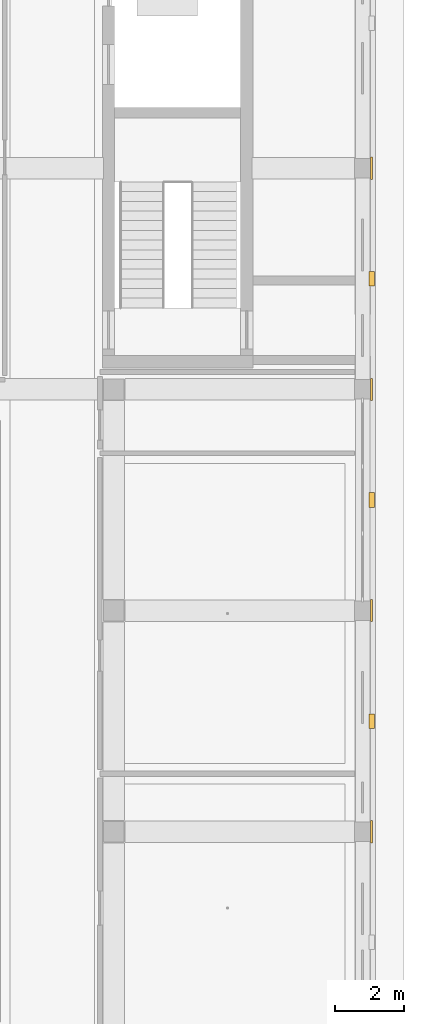
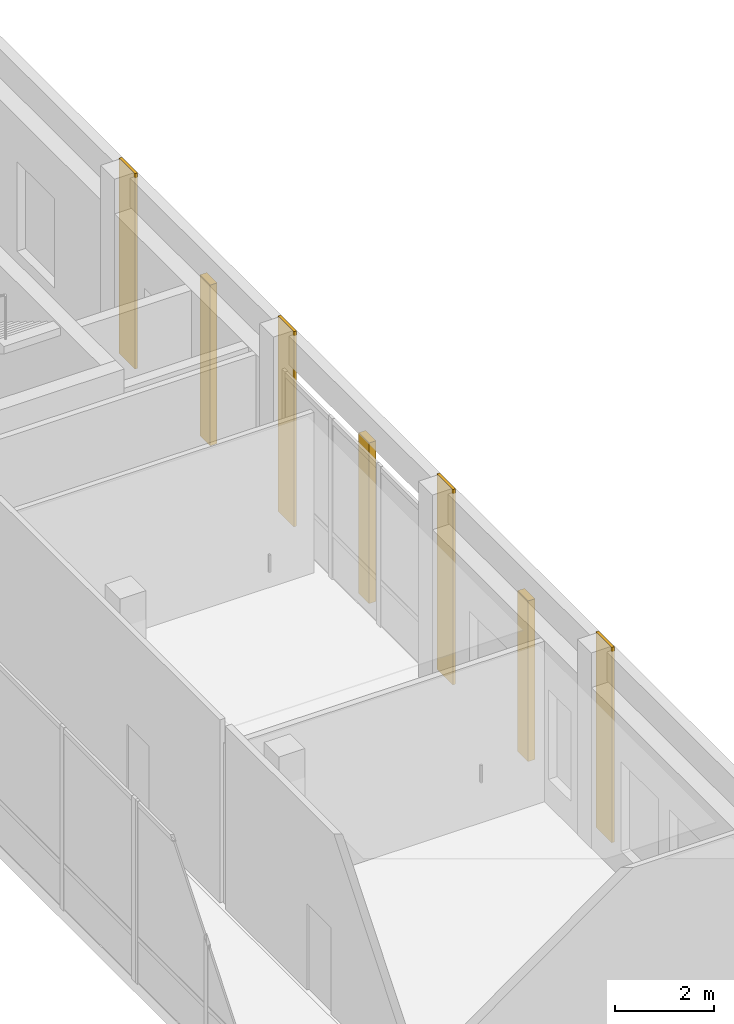
# One storey, part 85 of 88: 7 coverings.
"""IFC4 building model written with IfcOpenShell, lengths in metres."""

from ifc_helpers import new_model, si_unit, derived_unit, direction, frame, origin, origin_2d, place, context, subcontext, project, spatial, rectangle, extrude, material, layer, layer_set, type_object, element, save


model = new_model("IFC4")

# Units and contexts
model_context = context("Model", 3, precision=1e-05, world=origin(), true_north=direction((0.0, 1.0)))
body_context = subcontext(model_context, "Body", "Model", "MODEL_VIEW")
ifc_project = project(units=[si_unit("LENGTHUNIT", "METRE"), si_unit("AREAUNIT", "SQUARE_METRE"), si_unit("VOLUMEUNIT", "CUBIC_METRE"), si_unit("PLANEANGLEUNIT", "RADIAN"), si_unit("MASSUNIT", "GRAM", prefix="KILO"), derived_unit("THERMALTRANSMITTANCEUNIT", [(si_unit("POWERUNIT", "WATT"), 1), (si_unit("LENGTHUNIT", "METRE"), -2), (si_unit("THERMODYNAMICTEMPERATUREUNIT", "KELVIN"), -1)])], contexts=[model_context])

# Site, building, storey
site_placement = place(None, origin())
site = spatial("IfcSite", under=ifc_project, at=site_placement, CompositionType="ELEMENT")
building_placement = place(site_placement, origin())
building = spatial("IfcBuilding", under=site, at=building_placement, Name="Braskholm Square Health Centre", CompositionType="ELEMENT")
storey_placement = place(building_placement, origin())
storey = spatial("IfcBuildingStorey", under=building, at=storey_placement, Name="L01", CompositionType="ELEMENT", Elevation=0.0)

# Coverings
ifc_material_1 = material(Name="Mankato-Kasota dolomitic limestone ashlar", Category="masonry")
ifc_layer_1 = layer(ifc_material_1, 0.090087890625)
ifc_layer_set_1 = layer_set([ifc_layer_1], Name="Mankato-Kasota dolomitic limestone ashlar")
covering_type_1 = type_object("IfcCoveringType", Name="KasotaAshlarBaseCladding", PredefinedType="CLADDING", material=ifc_layer_set_1)
for number, where, z_axis, x_axis, name in (
    (1, (164.070068359375, 39.39990234375, 0.0), (0.0, 0.0, 1.0), (1.0, 0.0, 0.0), "Fluted Kasota limestone base pilaster 0669"),
    (2, (164.070068359375, 45.800048828125, 0.0), (0.0, 0.0, 1.0), (1.0, 0.0, 0.0), "Fluted Kasota limestone base pilaster 0670"),
    (3, (164.070068359375, 52.199951171875, 0.0), (0.0, 0.0, 1.0), (1.0, 0.0, 0.0), "Fluted Kasota limestone base pilaster 0671"),
):
    element("IfcCovering", number, at=place(storey_placement, frame(where, z_axis=z_axis, x_axis=x_axis)), inside=storey, type_object=covering_type_1, Name=name, PredefinedType="CLADDING", context=body_context, shape_type="SweptSolid", body=[
        extrude(rectangle(XDim=0.159912109375, YDim=0.419921875, at=origin_2d()), origin(), (0.0, 0.0, 1.0), 3.949951171875),
    ])
ifc_material_2 = material(Name="Precast concrete C40/50 architectural white", Category="concrete")
ifc_layer_2 = layer(ifc_material_2, 0.054931640625)
ifc_layer_set_2 = layer_set([ifc_layer_2], Name="Precast concrete C40/50 architectural white")
covering_type_2 = type_object("IfcCoveringType", Name="PrecastWhiteColumnCasing", PredefinedType="CLADDING", material=ifc_layer_set_2)
for number, where, z_axis, x_axis, name in (
    (4, (164.054931640625, 36.199951171875, 0.0), (0.0, 0.0, 1.0), (1.0, 0.0, 0.0), "Giant-order white precast column casing 0284"),
    (5, (164.054931640625, 42.60009765625, 0.0), (0.0, 0.0, 1.0), (1.0, 0.0, 0.0), "Giant-order white precast column casing 0292"),
    (6, (164.054931640625, 49.0, 0.0), (0.0, 0.0, 1.0), (1.0, 0.0, 0.0), "Giant-order white precast column casing 0300"),
    (7, (164.054931640625, 55.39990234375, 0.0), (0.0, 0.0, 1.0), (1.0, 0.0, 0.0), "Giant-order white precast column casing 0308"),
):
    element("IfcCovering", number, at=place(storey_placement, frame(where, z_axis=z_axis, x_axis=x_axis)), inside=storey, type_object=covering_type_2, Name=name, PredefinedType="CLADDING", context=body_context, shape_type="SweptSolid", body=[
        extrude(rectangle(XDim=0.06005859375, YDim=0.639892578125, at=origin_2d()), origin(), (0.0, 0.0, 1.0), 4.800048828125),
    ])

save(model, "model.ifc")
